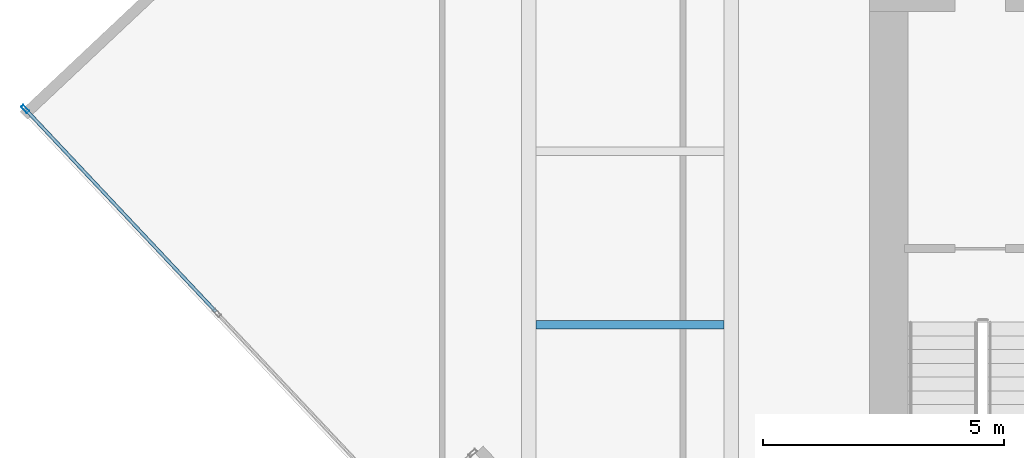
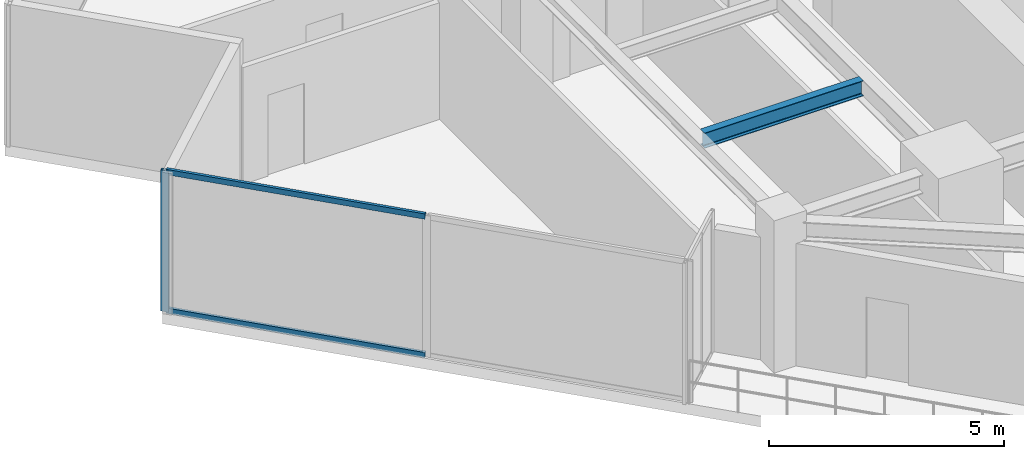
# One storey, part 5 of 24: 3 members, 1 beam, 1 element without a shape of its own.
"""IFC4 building model written with IfcOpenShell, lengths in metres."""

import ifcopenshell
import ifcopenshell.guid

model = None  # the IFC model being written
_history = None  # IfcOwnerHistory: only IFC2X3 demands one
_inside = {}  # id of a spatial element -> (the spatial element, [elements in it])
_under = {}  # id of a project, library or spatial element -> (it, [spatial elements below it])
_declared = {}  # id of a project -> (the project, [libraries it declares])
_typed = {}  # id of a type object -> (the type object, [elements of that type])
_made_of = {}  # id of a material, layer set ... -> (it, [elements and type objects made of it])


def new_model(schema):
    """Start an empty IFC model of exactly this schema.

    Asked for "IFC4X3", IfcOpenShell would pick the latest addendum, in which some entities
    have other attributes; the version numbers below select the first issue.
    IFC2X3 requires an IfcOwnerHistory on every rooted entity: one is made here for all.
    """
    global model, _history
    if schema == "IFC4X3":
        model = ifcopenshell.file(schema_version=(4, 3, 0, 0))
    else:
        model = ifcopenshell.file(schema=schema)
    _inside.clear()
    _under.clear()
    _declared.clear()
    _typed.clear()
    _made_of.clear()
    _history = None
    if model.schema == "IFC2X3":
        org = make("IfcOrganization", Name="unknown")
        user = make(
            "IfcPersonAndOrganization",
            ThePerson=make("IfcPerson", FamilyName="unknown"),
            TheOrganization=org,
        )
        app = make(
            "IfcApplication",
            ApplicationDeveloper=org,
            Version="unknown",
            ApplicationFullName="unknown",
            ApplicationIdentifier="unknown",
        )
        _history = make(
            "IfcOwnerHistory",
            OwningUser=user,
            OwningApplication=app,
            ChangeAction="ADDED",
            CreationDate=0,
        )
    return model


def make(cls, **values):
    """One entity of the class cls with the attributes given. An attribute that is None is left unset."""
    return model.create_entity(
        cls, **{name: value for name, value in values.items() if value is not None}
    )


def rooted(cls, **values):
    """An entity with a GlobalId (a new one), such as an element, a storey or a relation."""
    return make(cls, GlobalId=ifcopenshell.guid.new(), OwnerHistory=_history, **values)


def si_unit(unit_type, name, prefix=None):
    """IfcSIUnit, for example si_unit("LENGTHUNIT", "METRE", prefix="MILLI")."""
    return make("IfcSIUnit", UnitType=unit_type, Prefix=prefix, Name=name)


def assignment(units):
    """IfcUnitAssignment: the units of a project."""
    return None if units is None else make("IfcUnitAssignment", Units=units)


def point(xyz):
    """IfcCartesianPoint."""
    return None if xyz is None else make("IfcCartesianPoint", Coordinates=xyz)


def direction(xyz):
    """IfcDirection."""
    return None if xyz is None else make("IfcDirection", DirectionRatios=xyz)


def frame(location, z_axis=None, x_axis=None):
    """IfcAxis2Placement3D, a coordinate frame: its origin and axes. An axis left out is left unset."""
    return make(
        "IfcAxis2Placement3D",
        Location=point(location),
        Axis=direction(z_axis),
        RefDirection=direction(x_axis),
    )


def frame_2d(location, x_axis=None):
    """IfcAxis2Placement2D, a coordinate frame in the plane: its origin and x axis."""
    return make(
        "IfcAxis2Placement2D", Location=point(location), RefDirection=direction(x_axis)
    )


def origin():
    """The frame at (0, 0, 0) with its axes left unset."""
    return frame((0.0, 0.0, 0.0))


def origin_2d():
    """The frame at (0, 0) in the plane with its x axis left unset."""
    return frame_2d((0.0, 0.0))


def place(relative_to, where):
    """IfcLocalPlacement: puts the frame where relative to a parent placement (None: the world)."""
    return make(
        "IfcLocalPlacement", PlacementRelTo=relative_to, RelativePlacement=where
    )


def context(
    kind, dimensions, precision=None, world=None, true_north=None, identifier=None
):
    """IfcGeometricRepresentationContext, for example the 3D "Model" context."""
    return make(
        "IfcGeometricRepresentationContext",
        ContextIdentifier=identifier,
        ContextType=kind,
        CoordinateSpaceDimension=dimensions,
        Precision=precision,
        WorldCoordinateSystem=world,
        TrueNorth=true_north,
    )


def subcontext(parent, identifier, kind, view, scale=None):
    """IfcGeometricRepresentationSubContext, for example "Body" below "Model"."""
    return make(
        "IfcGeometricRepresentationSubContext",
        ContextIdentifier=identifier,
        ContextType=kind,
        ParentContext=parent,
        TargetScale=scale,
        TargetView=view,
    )


def project(units=None, contexts=None):
    """IfcProject with its units and contexts."""
    return rooted(
        "IfcProject",
        Name="project",
        RepresentationContexts=contexts,
        UnitsInContext=assignment(units),
    )


def spatial(cls, under=None, at=None, **own):
    """A site, building, storey or space (cls), placed at a placement, below another one or the project."""
    s = rooted(cls, ObjectPlacement=at, **own)
    if under is not None:
        _under.setdefault(under.id(), (under, []))[1].append(s)
    return s


def profile(cls, at=None, kind="AREA", **sizes):
    """A parametric profile (cls). Its sizes go by their IFC names, for example OverallWidth=200.0."""
    return make(cls, ProfileType=kind, Position=at, **sizes)


def hollow_rectangle(**sizes):
    """IfcRectangleHollowProfileDef."""
    return profile("IfcRectangleHollowProfileDef", **sizes)


def i_section(**sizes):
    """IfcIShapeProfileDef."""
    return profile("IfcIShapeProfileDef", **sizes)


def extrude(swept, where, along, depth):
    """IfcExtrudedAreaSolid: the profile swept, set in the frame where, extruded along a direction by depth."""
    return make(
        "IfcExtrudedAreaSolid",
        SweptArea=swept,
        Position=where,
        ExtrudedDirection=direction(along),
        Depth=depth,
    )


def shape(context_of_items, identifier, shape_type, items):
    """IfcShapeRepresentation: the items that make up one representation, for example the "Body"."""
    return make(
        "IfcShapeRepresentation",
        ContextOfItems=context_of_items,
        RepresentationIdentifier=identifier,
        RepresentationType=shape_type,
        Items=items,
    )


def source(mapping_origin, context_of_items, identifier, shape_type, items):
    """IfcRepresentationMap: a shape defined once, which mapped items show again and again."""
    return make(
        "IfcRepresentationMap",
        MappingOrigin=mapping_origin,
        MappedRepresentation=shape(context_of_items, identifier, shape_type, items),
    )


def transform(
    local_origin,
    x_axis=None,
    y_axis=None,
    z_axis=None,
    scale=None,
    scale2=None,
    scale3=None,
    uniform=True,
):
    """IfcCartesianTransformationOperator3D, or its non-uniform kind. x_axis, y_axis, z_axis: its Axis1, 2, 3."""
    if uniform:
        return make(
            "IfcCartesianTransformationOperator3D",
            Axis1=direction(x_axis),
            Axis2=direction(y_axis),
            LocalOrigin=point(local_origin),
            Scale=scale,
            Axis3=direction(z_axis),
        )
    return make(
        "IfcCartesianTransformationOperator3DnonUniform",
        Axis1=direction(x_axis),
        Axis2=direction(y_axis),
        LocalOrigin=point(local_origin),
        Scale=scale,
        Axis3=direction(z_axis),
        Scale2=scale2,
        Scale3=scale3,
    )


def mapped(mapping_source, mapping_target):
    """IfcMappedItem: shows the shape of a source again, moved by a transform."""
    return make(
        "IfcMappedItem", MappingSource=mapping_source, MappingTarget=mapping_target
    )


def material(Name=None, Category=None):
    """IfcMaterial."""
    return make("IfcMaterial", Name=Name, Category=Category)


def material_profile(
    of_material, cross_section, Name=None, Category=None, Priority=None
):
    """IfcMaterialProfile: a cross section and its material."""
    return make(
        "IfcMaterialProfile",
        Name=Name,
        Material=of_material,
        Profile=cross_section,
        Priority=Priority,
        Category=Category,
    )


def profile_set(profiles, Name=None, composite=None):
    """IfcMaterialProfileSet."""
    return make(
        "IfcMaterialProfileSet",
        Name=Name,
        MaterialProfiles=profiles,
        CompositeProfile=composite,
    )


def made_of(thing, what):
    """Note that an element or type object is made of a material, layer set ...; save() writes the relation."""
    if what is not None:
        _made_of.setdefault(what.id(), (what, []))[1].append(thing)
    return thing


def type_object(cls, material=None, **own):
    """A type object (cls), such as IfcWallType, which elements share."""
    return made_of(rooted(cls, **own), material)


def type_shapes(of_type, sources):
    """Give a type object the sources (RepresentationMaps) that its elements show as mapped items."""
    of_type.RepresentationMaps = sources


def element(
    cls,
    number,
    at=None,
    inside=None,
    cuts=None,
    type_object=None,
    material=None,
    context=None,
    identifier="Body",
    shape_type=None,
    held_by="IfcProductDefinitionShape",
    body=None,
    shapes=None,
    **own,
):
    """One element of the class cls, such as IfcWall. Its Tag is "e" and its number.

    at: its placement. inside: the storey or other place that contains it. cuts: it is an
    opening in that element (IfcRelVoidsElement). A single representation is given by context,
    identifier, shape_type and body (its items); several are given by shapes. held_by: the class
    of the entity that holds the representations. save() writes the other relations.
    """
    e = rooted(cls, Tag="e%d" % number, ObjectPlacement=at, **own)
    if body is not None:
        shapes = [shape(context, identifier, shape_type, body)]
    if shapes is not None:
        e.Representation = make(held_by, Representations=shapes)
    if inside is not None:
        _inside.setdefault(inside.id(), (inside, []))[1].append(e)
    if cuts is not None:
        rooted(
            "IfcRelVoidsElement", RelatingBuildingElement=cuts, RelatedOpeningElement=e
        )
    if type_object is not None:
        _typed.setdefault(type_object.id(), (type_object, []))[1].append(e)
    return made_of(e, material)


def aggregate(whole, parts):
    """IfcRelAggregates: a whole, such as a stair, and the parts it consists of."""
    return rooted("IfcRelAggregates", RelatingObject=whole, RelatedObjects=parts)


def save(model, path):
    """Write the relations noted so far, then the file.

    IfcRelAggregates (storeys below a building ...), IfcRelContainedInSpatialStructure (elements
    in a storey), IfcRelDefinesByType, IfcRelAssociatesMaterial and IfcRelDeclares: one each for
    every whole, place, type object, material and project.
    """
    for whole, parts in _under.values():
        aggregate(whole, parts)
    for where, things in _inside.values():
        rooted(
            "IfcRelContainedInSpatialStructure",
            RelatedElements=things,
            RelatingStructure=where,
        )
    for kind, things in _typed.values():
        rooted("IfcRelDefinesByType", RelatedObjects=things, RelatingType=kind)
    for what, things in _made_of.values():
        rooted("IfcRelAssociatesMaterial", RelatedObjects=things, RelatingMaterial=what)
    for by, libraries in _declared.values():
        rooted("IfcRelDeclares", RelatingContext=by, RelatedDefinitions=libraries)
    model.write(path)


model = new_model("IFC4")

# Units and contexts
model_context = context("Model", 3, precision=1e-05, world=origin(), true_north=direction((0.0, 1.0)))
body_context = subcontext(model_context, "Body", "Model", "MODEL_VIEW")
ifc_project = project(units=[si_unit("LENGTHUNIT", "METRE"), si_unit("AREAUNIT", "SQUARE_METRE"), si_unit("VOLUMEUNIT", "CUBIC_METRE"), si_unit("PLANEANGLEUNIT", "RADIAN"), si_unit("MASSUNIT", "GRAM", prefix="KILO")], contexts=[model_context])

# Site, building, storey
site_placement = place(None, origin())
site = spatial("IfcSite", under=ifc_project, at=site_placement, CompositionType="ELEMENT")
building_placement = place(site_placement, origin())
building = spatial("IfcBuilding", under=site, at=building_placement, Name="Krantzveldt Concourse Tower", CompositionType="ELEMENT")
storey_placement = place(building_placement, frame((0.0, 0.0, 246.800048828125)))
storey = spatial("IfcBuildingStorey", under=building, at=storey_placement, Name="L60", CompositionType="ELEMENT", Elevation=246.800048828125)

# Beam
ifc_material_1 = material(Name="Steel S355JR", Category="steel")
ifc_material_profile_1 = material_profile(ifc_material_1, i_section(OverallWidth=0.179931640625, OverallDepth=0.39990234375, WebThickness=0.008544921875, FlangeThickness=0.013427734375, FilletRadius=0.02099609375, at=origin_2d()), Name="Steel S355JR", Category="steel")
ifc_profile_set_1 = profile_set([ifc_material_profile_1], Name="Steel S355JR - IPE 400")
beam_type = type_object("IfcBeamType", Name="BM-J-IPE400", PredefinedType="JOIST", material=ifc_profile_set_1)
shared_shape_1 = source(origin(), body_context, "Body", "SweptSolid", [
    extrude(i_section(OverallWidth=0.179931640625, OverallDepth=0.39990234375, WebThickness=0.008544921875, FlangeThickness=0.013427734375, FilletRadius=0.02099609375, at=origin_2d()), origin(), (0.0, 0.0, 1.0), 3.900146484375),
])
type_shapes(beam_type, [shared_shape_1])
beam_placement = place(storey_placement, frame((21.14990234375, 19.5, 3.469970703125), z_axis=(1.0, 0.0, 0.0), x_axis=(0.0, 1.0, 0.0)))
element("IfcBeam", 1, at=beam_placement, inside=storey, type_object=beam_type, Name="L60 Secondary Floor Joist JW-1", PredefinedType="JOIST", context=body_context, shape_type="MappedRepresentation", body=[
    mapped(shared_shape_1, transform((0.0, 0.0, 0.0), x_axis=(1.0, 0.0, 0.0), y_axis=(0.0, 1.0, 0.0), z_axis=(0.0, 0.0, 1.0), scale=1.0)),
])

# Curtain wall, members
ifc_material_2 = material(Name="Anodised aluminium 6063-T6", Category="aluminium")
curtain_wall_type = type_object("IfcCurtainWallType", Name="CW3", PredefinedType="USERDEFINED", material=ifc_material_2)
curtain_wall_placement = place(storey_placement, origin())
curtain_wall = element("IfcCurtainWall", 2, at=curtain_wall_placement, inside=storey, type_object=curtain_wall_type, Name="CW-L60-F04", ObjectType="UNITISED CURTAIN WALL", PredefinedType="USERDEFINED")
ifc_material_profile_2 = material_profile(ifc_material_2, hollow_rectangle(XDim=0.070068359375, YDim=0.179931640625, WallThickness=0.0048828125, at=origin_2d()), Name="Anodised aluminium 6063-T6", Category="aluminium")
ifc_profile_set_2 = profile_set([ifc_material_profile_2], Name="Anodised aluminium 6063-T6 - ALU-MULL 180x70x5")
member_type_1 = type_object("IfcMemberType", Name="CW-MUL-180", PredefinedType="MULLION", material=ifc_profile_set_2)
shared_shape_2 = source(origin(), body_context, "Body", "SweptSolid", [
    extrude(hollow_rectangle(XDim=0.070068359375, YDim=0.179931640625, WallThickness=0.0048828125, at=origin_2d()), origin(), (0.0, 0.0, 1.0), 3.669921875),
])
type_shapes(member_type_1, [shared_shape_2])
member_1_placement = place(storey_placement, frame((10.53759765625, 23.979736328125, 0.0), z_axis=(0.0, 0.0, 1.0), x_axis=(0.728370998021, 0.685182960414, 0.0)))
member_1 = element("IfcMember", 3, at=member_1_placement, type_object=member_type_1, Name="CW-Z34 mullion 1", PredefinedType="MULLION", context=body_context, shape_type="MappedRepresentation", body=[
    mapped(shared_shape_2, transform((0.0, 0.0, 0.0), x_axis=(1.0, 0.0, 0.0), y_axis=(0.0, 1.0, 0.0), z_axis=(0.0, 0.0, 1.0), scale=1.0)),
])
ifc_material_profile_3 = material_profile(ifc_material_2, hollow_rectangle(XDim=0.070068359375, YDim=0.139892578125, WallThickness=0.0048828125, at=origin_2d()), Name="Anodised aluminium 6063-T6", Category="aluminium")
ifc_profile_set_3 = profile_set([ifc_material_profile_3], Name="Anodised aluminium 6063-T6 - ALU-TRAN 140x70x5")
member_type_2 = type_object("IfcMemberType", Name="CW-TRN-150", PredefinedType="USERDEFINED", material=ifc_profile_set_3)
shared_shape_3 = source(origin(), body_context, "Body", "SweptSolid", [
    extrude(hollow_rectangle(XDim=0.070068359375, YDim=0.139892578125, WallThickness=0.0048828125, at=origin_2d()), origin(), (0.0, 0.0, 1.0), 5.744873046875),
])
type_shapes(member_type_2, [shared_shape_3])
member_2_placement = place(storey_placement, frame((10.5615234375, 23.9541015625, 0.034912109375), z_axis=(0.685210917167, -0.728344697924, 0.0), x_axis=(0.728344697924, 0.685210917167, 0.0)))
member_2 = element("IfcMember", 4, at=member_2_placement, type_object=member_type_2, Name="CW-Z34 transom 1.1", ObjectType="TRANSOM", PredefinedType="USERDEFINED", context=body_context, shape_type="MappedRepresentation", body=[
    mapped(shared_shape_3, transform((0.0, 0.0, 0.0), x_axis=(1.0, 0.0, 0.0), y_axis=(0.0, 1.0, 0.0), z_axis=(0.0, 0.0, 1.0), scale=1.0)),
])
member_3_placement = place(storey_placement, frame((10.5615234375, 23.9541015625, 3.635009765625), z_axis=(0.685210917167, -0.728344697924, 0.0), x_axis=(0.728344697924, 0.685210917167, 0.0)))
member_3 = element("IfcMember", 5, at=member_3_placement, type_object=member_type_2, Name="CW-Z34 transom 1.2", ObjectType="TRANSOM", PredefinedType="USERDEFINED", context=body_context, shape_type="MappedRepresentation", body=[
    mapped(shared_shape_3, transform((0.0, 0.0, 0.0), x_axis=(1.0, 0.0, 0.0), y_axis=(0.0, 1.0, 0.0), z_axis=(0.0, 0.0, 1.0), scale=1.0)),
])
aggregate(curtain_wall, [member_1, member_2, member_3])

save(model, "model.ifc")
